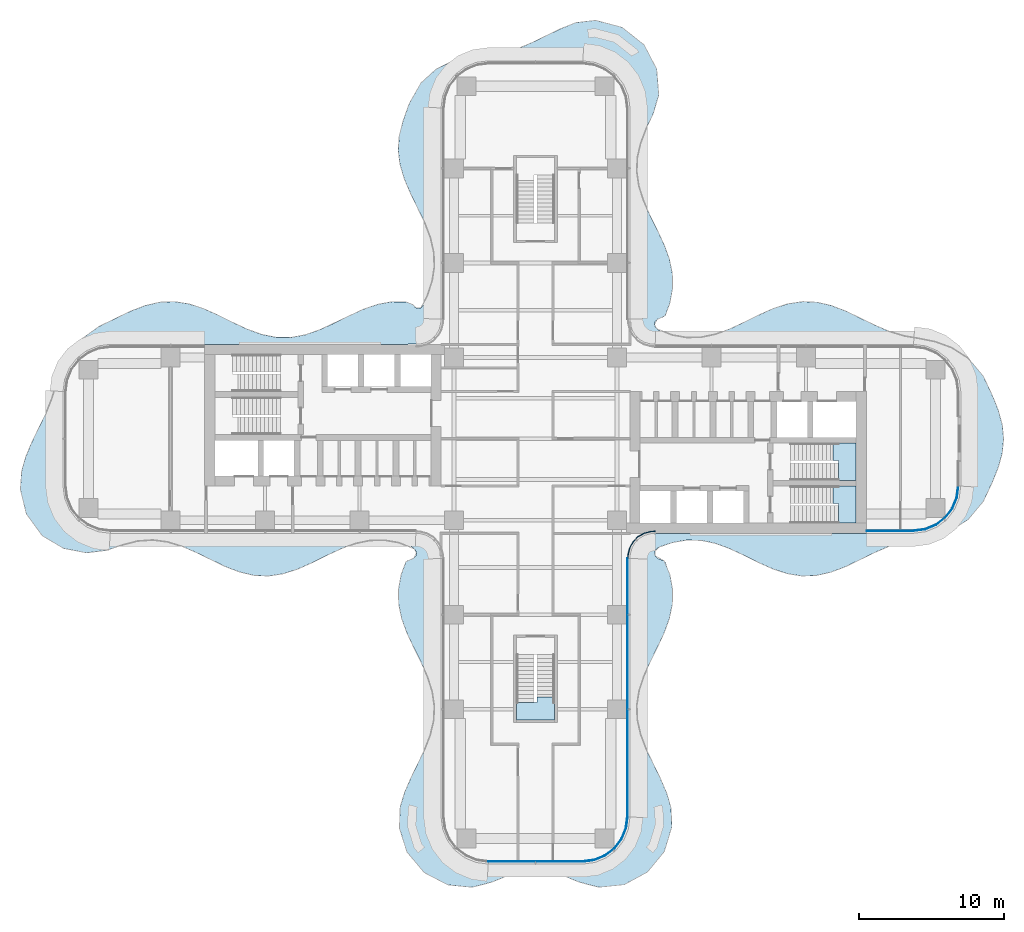
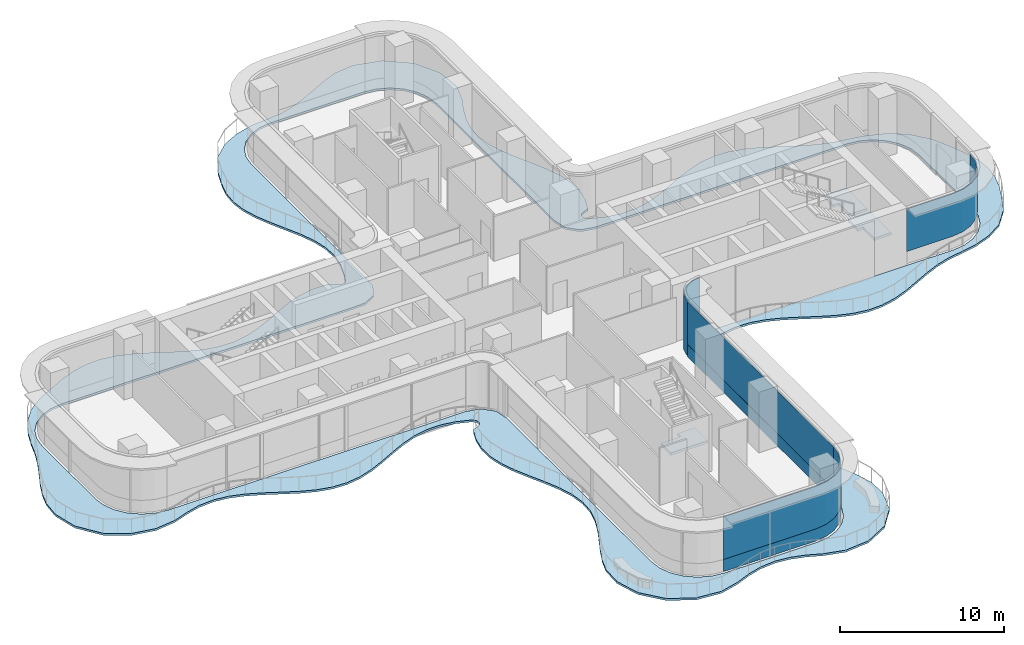
# One storey, part 14 of 21: 6 plates, 4 slabs, 7 elements without a shape of their own.
"""IFC4 building model written with IfcOpenShell, lengths in metres."""

import ifcopenshell
import ifcopenshell.guid

model = None  # the IFC model being written
_history = None  # IfcOwnerHistory: only IFC2X3 demands one
_inside = {}  # id of a spatial element -> (the spatial element, [elements in it])
_under = {}  # id of a project, library or spatial element -> (it, [spatial elements below it])
_declared = {}  # id of a project -> (the project, [libraries it declares])
_typed = {}  # id of a type object -> (the type object, [elements of that type])
_made_of = {}  # id of a material, layer set ... -> (it, [elements and type objects made of it])


def new_model(schema):
    """Start an empty IFC model of exactly this schema.

    Asked for "IFC4X3", IfcOpenShell would pick the latest addendum, in which some entities
    have other attributes; the version numbers below select the first issue.
    IFC2X3 requires an IfcOwnerHistory on every rooted entity: one is made here for all.
    """
    global model, _history
    if schema == "IFC4X3":
        model = ifcopenshell.file(schema_version=(4, 3, 0, 0))
    else:
        model = ifcopenshell.file(schema=schema)
    _inside.clear()
    _under.clear()
    _declared.clear()
    _typed.clear()
    _made_of.clear()
    _history = None
    if model.schema == "IFC2X3":
        org = make("IfcOrganization", Name="unknown")
        user = make(
            "IfcPersonAndOrganization",
            ThePerson=make("IfcPerson", FamilyName="unknown"),
            TheOrganization=org,
        )
        app = make(
            "IfcApplication",
            ApplicationDeveloper=org,
            Version="unknown",
            ApplicationFullName="unknown",
            ApplicationIdentifier="unknown",
        )
        _history = make(
            "IfcOwnerHistory",
            OwningUser=user,
            OwningApplication=app,
            ChangeAction="ADDED",
            CreationDate=0,
        )
    return model


def make(cls, **values):
    """One entity of the class cls with the attributes given. An attribute that is None is left unset."""
    return model.create_entity(
        cls, **{name: value for name, value in values.items() if value is not None}
    )


def rooted(cls, **values):
    """An entity with a GlobalId (a new one), such as an element, a storey or a relation."""
    return make(cls, GlobalId=ifcopenshell.guid.new(), OwnerHistory=_history, **values)


def si_unit(unit_type, name, prefix=None):
    """IfcSIUnit, for example si_unit("LENGTHUNIT", "METRE", prefix="MILLI")."""
    return make("IfcSIUnit", UnitType=unit_type, Prefix=prefix, Name=name)


def assignment(units):
    """IfcUnitAssignment: the units of a project."""
    return None if units is None else make("IfcUnitAssignment", Units=units)


def point(xyz):
    """IfcCartesianPoint."""
    return None if xyz is None else make("IfcCartesianPoint", Coordinates=xyz)


def direction(xyz):
    """IfcDirection."""
    return None if xyz is None else make("IfcDirection", DirectionRatios=xyz)


def frame(location, z_axis=None, x_axis=None):
    """IfcAxis2Placement3D, a coordinate frame: its origin and axes. An axis left out is left unset."""
    return make(
        "IfcAxis2Placement3D",
        Location=point(location),
        Axis=direction(z_axis),
        RefDirection=direction(x_axis),
    )


def origin():
    """The frame at (0, 0, 0) with its axes left unset."""
    return frame((0.0, 0.0, 0.0))


def place(relative_to, where):
    """IfcLocalPlacement: puts the frame where relative to a parent placement (None: the world)."""
    return make(
        "IfcLocalPlacement", PlacementRelTo=relative_to, RelativePlacement=where
    )


def context(
    kind, dimensions, precision=None, world=None, true_north=None, identifier=None
):
    """IfcGeometricRepresentationContext, for example the 3D "Model" context."""
    return make(
        "IfcGeometricRepresentationContext",
        ContextIdentifier=identifier,
        ContextType=kind,
        CoordinateSpaceDimension=dimensions,
        Precision=precision,
        WorldCoordinateSystem=world,
        TrueNorth=true_north,
    )


def subcontext(parent, identifier, kind, view, scale=None):
    """IfcGeometricRepresentationSubContext, for example "Body" below "Model"."""
    return make(
        "IfcGeometricRepresentationSubContext",
        ContextIdentifier=identifier,
        ContextType=kind,
        ParentContext=parent,
        TargetScale=scale,
        TargetView=view,
    )


def project(units=None, contexts=None):
    """IfcProject with its units and contexts."""
    return rooted(
        "IfcProject",
        Name="project",
        RepresentationContexts=contexts,
        UnitsInContext=assignment(units),
    )


def spatial(cls, under=None, at=None, **own):
    """A site, building, storey or space (cls), placed at a placement, below another one or the project."""
    s = rooted(cls, ObjectPlacement=at, **own)
    if under is not None:
        _under.setdefault(under.id(), (under, []))[1].append(s)
    return s


def polyline(points):
    """IfcPolyline through the points."""
    return make("IfcPolyline", Points=[point(p) for p in points])


def outline(outer, holes=None, kind="AREA"):
    """IfcArbitraryClosedProfileDef: a profile drawn as a closed curve; with holes, ...WithVoids."""
    if holes is None:
        return make("IfcArbitraryClosedProfileDef", ProfileType=kind, OuterCurve=outer)
    return make(
        "IfcArbitraryProfileDefWithVoids",
        ProfileType=kind,
        OuterCurve=outer,
        InnerCurves=holes,
    )


def extrude(swept, where, along, depth):
    """IfcExtrudedAreaSolid: the profile swept, set in the frame where, extruded along a direction by depth."""
    return make(
        "IfcExtrudedAreaSolid",
        SweptArea=swept,
        Position=where,
        ExtrudedDirection=direction(along),
        Depth=depth,
    )


def shape(context_of_items, identifier, shape_type, items):
    """IfcShapeRepresentation: the items that make up one representation, for example the "Body"."""
    return make(
        "IfcShapeRepresentation",
        ContextOfItems=context_of_items,
        RepresentationIdentifier=identifier,
        RepresentationType=shape_type,
        Items=items,
    )


def source(mapping_origin, context_of_items, identifier, shape_type, items):
    """IfcRepresentationMap: a shape defined once, which mapped items show again and again."""
    return make(
        "IfcRepresentationMap",
        MappingOrigin=mapping_origin,
        MappedRepresentation=shape(context_of_items, identifier, shape_type, items),
    )


def transform(
    local_origin,
    x_axis=None,
    y_axis=None,
    z_axis=None,
    scale=None,
    scale2=None,
    scale3=None,
    uniform=True,
):
    """IfcCartesianTransformationOperator3D, or its non-uniform kind. x_axis, y_axis, z_axis: its Axis1, 2, 3."""
    if uniform:
        return make(
            "IfcCartesianTransformationOperator3D",
            Axis1=direction(x_axis),
            Axis2=direction(y_axis),
            LocalOrigin=point(local_origin),
            Scale=scale,
            Axis3=direction(z_axis),
        )
    return make(
        "IfcCartesianTransformationOperator3DnonUniform",
        Axis1=direction(x_axis),
        Axis2=direction(y_axis),
        LocalOrigin=point(local_origin),
        Scale=scale,
        Axis3=direction(z_axis),
        Scale2=scale2,
        Scale3=scale3,
    )


def mapped(mapping_source, mapping_target):
    """IfcMappedItem: shows the shape of a source again, moved by a transform."""
    return make(
        "IfcMappedItem", MappingSource=mapping_source, MappingTarget=mapping_target
    )


def material(Name=None, Category=None):
    """IfcMaterial."""
    return make("IfcMaterial", Name=Name, Category=Category)


def layer(
    of_material, thickness, ventilated=None, Name=None, Category=None, Priority=None
):
    """IfcMaterialLayer: one layer of a wall or slab, of a material (None: an air gap)."""
    return make(
        "IfcMaterialLayer",
        Material=of_material,
        LayerThickness=thickness,
        IsVentilated=ventilated,
        Name=Name,
        Category=Category,
        Priority=Priority,
    )


def layer_set(layers, Name=None):
    """IfcMaterialLayerSet."""
    return make("IfcMaterialLayerSet", MaterialLayers=layers, LayerSetName=Name)


def made_of(thing, what):
    """Note that an element or type object is made of a material, layer set ...; save() writes the relation."""
    if what is not None:
        _made_of.setdefault(what.id(), (what, []))[1].append(thing)
    return thing


def type_object(cls, material=None, **own):
    """A type object (cls), such as IfcWallType, which elements share."""
    return made_of(rooted(cls, **own), material)


def element(
    cls,
    number,
    at=None,
    inside=None,
    cuts=None,
    type_object=None,
    material=None,
    context=None,
    identifier="Body",
    shape_type=None,
    held_by="IfcProductDefinitionShape",
    body=None,
    shapes=None,
    **own,
):
    """One element of the class cls, such as IfcWall. Its Tag is "e" and its number.

    at: its placement. inside: the storey or other place that contains it. cuts: it is an
    opening in that element (IfcRelVoidsElement). A single representation is given by context,
    identifier, shape_type and body (its items); several are given by shapes. held_by: the class
    of the entity that holds the representations. save() writes the other relations.
    """
    e = rooted(cls, Tag="e%d" % number, ObjectPlacement=at, **own)
    if body is not None:
        shapes = [shape(context, identifier, shape_type, body)]
    if shapes is not None:
        e.Representation = make(held_by, Representations=shapes)
    if inside is not None:
        _inside.setdefault(inside.id(), (inside, []))[1].append(e)
    if cuts is not None:
        rooted(
            "IfcRelVoidsElement", RelatingBuildingElement=cuts, RelatedOpeningElement=e
        )
    if type_object is not None:
        _typed.setdefault(type_object.id(), (type_object, []))[1].append(e)
    return made_of(e, material)


def aggregate(whole, parts):
    """IfcRelAggregates: a whole, such as a stair, and the parts it consists of."""
    return rooted("IfcRelAggregates", RelatingObject=whole, RelatedObjects=parts)


def save(model, path):
    """Write the relations noted so far, then the file.

    IfcRelAggregates (storeys below a building ...), IfcRelContainedInSpatialStructure (elements
    in a storey), IfcRelDefinesByType, IfcRelAssociatesMaterial and IfcRelDeclares: one each for
    every whole, place, type object, material and project.
    """
    for whole, parts in _under.values():
        aggregate(whole, parts)
    for where, things in _inside.values():
        rooted(
            "IfcRelContainedInSpatialStructure",
            RelatedElements=things,
            RelatingStructure=where,
        )
    for kind, things in _typed.values():
        rooted("IfcRelDefinesByType", RelatedObjects=things, RelatingType=kind)
    for what, things in _made_of.values():
        rooted("IfcRelAssociatesMaterial", RelatedObjects=things, RelatingMaterial=what)
    for by, libraries in _declared.values():
        rooted("IfcRelDeclares", RelatingContext=by, RelatedDefinitions=libraries)
    model.write(path)


model = new_model("IFC4")

# Units and contexts
model_context = context("Model", 3, precision=1e-05, world=origin(), true_north=direction((0.0, 1.0)))
body_context = subcontext(model_context, "Body", "Model", "MODEL_VIEW")
ifc_project = project(units=[si_unit("LENGTHUNIT", "METRE"), si_unit("AREAUNIT", "SQUARE_METRE"), si_unit("VOLUMEUNIT", "CUBIC_METRE"), si_unit("PLANEANGLEUNIT", "RADIAN"), si_unit("MASSUNIT", "GRAM", prefix="KILO")], contexts=[model_context])

# Site, building, storey
site_placement = place(None, origin())
site = spatial("IfcSite", under=ifc_project, at=site_placement, CompositionType="ELEMENT")
building_placement = place(site_placement, origin())
building = spatial("IfcBuilding", under=site, at=building_placement, Name="Trellis Farm Tower", CompositionType="ELEMENT")
storey_placement = place(building_placement, frame((0.0, 0.0, 115.5)))
storey = spatial("IfcBuildingStorey", under=building, at=storey_placement, Name="L24", CompositionType="ELEMENT", Elevation=115.5)

# Slab
ifc_material_1 = material(Name="Concrete C40/50", Category="concrete")
ifc_layer_1 = layer(ifc_material_1, 0.14990234375)
ifc_layer_set_1 = layer_set([ifc_layer_1], Name="Balcony slab 150")
slab_type_1 = type_object("IfcSlabType", Name="Balcony slab 150", PredefinedType="FLOOR", material=ifc_layer_set_1)
slab_1_placement = place(storey_placement, frame((0.0, 0.0, -0.14990234375)))
element("IfcSlab", 1, at=slab_1_placement, inside=storey, type_object=slab_type_1, Name="Balcony slab", PredefinedType="FLOOR", context=body_context, shape_type="SweptSolid", body=[
    extrude(outline(polyline([(-25.325439453125, -7.0859375), (-26.30517578125, -6.957275390625), (-26.320068359375, -6.956787109375), (-27.369873046875, -7.030029296875), (-27.38330078125, -7.0322265625), (-28.3564453125, -7.283203125), (-28.3623046875, -7.284912109375), (-29.44873046875, -7.6611328125), (-29.479248046875, -7.668212890625), (-30.866455078125, -7.84130859375), (-30.91357421875, -7.839599609375), (-32.445068359375, -7.542724609375), (-32.492919921875, -7.524658203125), (-33.877197265625, -6.705810546875), (-33.902099609375, -6.68701171875), (-33.930419921875, -6.6611328125), (-33.950439453125, -6.638671875), (-35.002197265625, -5.188232421875), (-35.01708984375, -5.1630859375), (-35.032958984375, -5.12890625), (-35.04248046875, -5.101318359375), (-35.431640625, -3.49267578125), (-35.435546875, -3.4462890625), (-35.347900390625, -2.24951171875), (-35.342529296875, -2.219482421875), (-35.069580078125, -1.25048828125), (-35.0634765625, -1.2333984375), (-34.65283203125, -0.251708984375), (-34.6494140625, -0.243896484375), (-33.68701171875, 1.73291015625), (-33.68505859375, 1.73779296875), (-33.285888671875, 2.728515625), (-33.28369140625, 2.734619140625), (-32.953125, 3.809326171875), (-32.9501953125, 3.81787109375), (-32.56005859375, 4.857177734375), (-32.551513671875, 4.875732421875), (-31.994384765625, 5.906005859375), (-31.9775390625, 5.9306640625), (-31.185546875, 6.882568359375), (-31.158447265625, 6.907958984375), (-30.041015625, 7.718994140625), (-30.018310546875, 7.732666015625), (-27.85009765625, 8.782958984375), (-27.83837890625, 8.7880859375), (-26.849365234375, 9.166748046875), (-26.829345703125, 9.1728515625), (-25.849609375, 9.39697265625), (-25.822021484375, 9.400634765625), (-24.8505859375, 9.438720703125), (-24.82177734375, 9.43701171875), (-23.852294921875, 9.285888671875), (-23.828857421875, 9.2802734375), (-22.853515625, 8.9619140625), (-22.839111328125, 8.956298828125), (-21.861328125, 8.5205078125), (-21.85595703125, 8.517822265625), (-20.853271484375, 8.020751953125), (-20.851806640625, 8.02001953125), (-19.845703125, 7.55078125), (-19.839599609375, 7.548095703125), (-18.837646484375, 7.185302734375), (-18.826904296875, 7.182373046875), (-17.832275390625, 6.9833984375), (-17.818115234375, 6.98193359375), (-16.8330078125, 6.974365234375), (-16.819091796875, 6.9755859375), (-15.840087890625, 7.15625), (-15.828857421875, 7.1591796875), (-14.848876953125, 7.500244140625), (-14.84228515625, 7.5029296875), (-13.857666015625, 7.953857421875), (-13.85546875, 7.954833984375), (-12.862060546875, 8.4482421875), (-12.857666015625, 8.450439453125), (-11.87744140625, 8.89892578125), (-11.864013671875, 8.904296875), (-10.861572265625, 9.250244140625), (-10.839111328125, 9.256103515625), (-9.895263671875, 9.42626953125), (-9.8671875, 9.428466796875), (-8.916748046875, 9.418212890625), (-8.885986328125, 9.414794921875), (-8.847900390625, 9.40625), (-8.819091796875, 9.396728515625), (-8.452392578125, 9.23291015625), (-8.400146484375, 9.194091796875), (-8.26318359375, 9.035400390625), (-8.22802734375, 9.012939453125), (-8.07958984375, 8.97021484375), (-8.0380859375, 8.970458984375), (-7.89013671875, 9.014892578125), (-7.85546875, 9.03759765625), (-7.748291015625, 9.16357421875), (-7.73681640625, 9.181396484375), (-7.44580078125, 9.833984375), (-7.44287109375, 9.841552734375), (-7.109130859375, 10.876220703125), (-7.106201171875, 10.8876953125), (-6.96435546875, 11.812255859375), (-6.963623046875, 11.826171875), (-6.9990234375, 12.812744140625), (-7.000732421875, 12.826416015625), (-7.2255859375, 13.822509765625), (-7.228759765625, 13.83251953125), (-7.610595703125, 14.8349609375), (-7.61328125, 14.8408203125), (-8.5830078125, 16.84228515625), (-8.585693359375, 16.84814453125), (-9.01123046875, 17.831298828125), (-9.01708984375, 17.847412109375), (-9.320068359375, 18.85009765625), (-9.3251953125, 18.874755859375), (-9.444091796875, 19.815185546875), (-9.44482421875, 19.84423828125), (-9.37939453125, 20.816650390625), (-9.375, 20.843505859375), (-9.1201171875, 21.845703125), (-9.115966796875, 21.859375), (-8.69580078125, 23.03515625), (-8.685302734375, 23.058349609375), (-7.905029296875, 24.44189453125), (-7.87548828125, 24.47900390625), (-6.845703125, 25.41748046875), (-6.81201171875, 25.44091796875), (-5.649169921875, 26.0234375), (-5.619873046875, 26.034423828125), (-4.43310546875, 26.34423828125), (-4.408935546875, 26.348388671875), (-2.2880859375, 26.544921875), (-2.275390625, 26.54736328125), (-1.27685546875, 26.82177734375), (-1.267822265625, 26.82470703125), (-0.2451171875, 27.250244140625), (-0.240966796875, 27.251953125), (1.735595703125, 28.214111328125), (1.74609375, 28.21875), (2.75, 28.61669921875), (2.787109375, 28.6259765625), (4.069091796875, 28.782470703125), (4.09716796875, 28.783203125), (4.1337890625, 28.78076171875), (4.16162109375, 28.7763671875), (5.879150390625, 28.3291015625), (5.907958984375, 28.318359375), (5.943359375, 28.30078125), (5.969482421875, 28.284423828125), (7.413818359375, 27.153076171875), (7.4365234375, 27.131103515625), (7.462646484375, 27.099853515625), (7.480224609375, 27.073486328125), (8.312255859375, 25.492431640625), (8.323486328125, 25.464599609375), (8.33447265625, 25.42724609375), (8.340087890625, 25.397705078125), (8.47998046875, 23.7080078125), (8.4794921875, 23.68017578125), (8.475830078125, 23.644287109375), (8.470458984375, 23.61669921875), (8.10009765625, 22.373779296875), (8.092041015625, 22.3525390625), (7.613037109375, 21.340576171875), (7.610595703125, 21.335205078125), (7.228515625, 20.33251953125), (7.2255859375, 20.32275390625), (7.009521484375, 19.390380859375), (7.0078125, 19.377197265625), (6.9599609375, 18.39453125), (6.960693359375, 18.3798828125), (7.1064453125, 17.387939453125), (7.109130859375, 17.3759765625), (7.4296875, 16.3759765625), (7.4326171875, 16.368408203125), (7.878662109375, 15.36328125), (7.8798828125, 15.360595703125), (8.3779296875, 14.35595703125), (8.37939453125, 14.352783203125), (8.845458984375, 13.355712890625), (8.850341796875, 13.34375), (9.203125, 12.380126953125), (9.208984375, 12.359130859375), (9.4111328125, 11.388916015625), (9.414306640625, 11.3603515625), (9.428466796875, 10.357421875), (9.426025390625, 10.328125), (9.248779296875, 9.35888671875), (9.241943359375, 9.333740234375), (8.9228515625, 8.47607421875), (8.834716796875, 8.387939453125), (8.428466796875, 8.235595703125), (8.4169921875, 8.22998046875), (8.365478515625, 8.199951171875), (8.349365234375, 8.1875), (8.2392578125, 8.07421875), (8.22021484375, 8.039306640625), (8.1875, 7.8955078125), (8.189453125, 7.855712890625), (8.239501953125, 7.705810546875), (8.248291015625, 7.6875), (8.307861328125, 7.599609375), (8.32421875, 7.58251953125), (8.478515625, 7.46337890625), (8.49951171875, 7.451904296875), (9.382080078125, 7.1455078125), (9.393798828125, 7.142333984375), (10.385986328125, 6.969970703125), (10.400390625, 6.968994140625), (11.384033203125, 6.989013671875), (11.39794921875, 6.990478515625), (12.376708984375, 7.196533203125), (12.386962890625, 7.199462890625), (13.339599609375, 7.548095703125), (13.345458984375, 7.550537109375), (14.351806640625, 8.02001953125), (14.353271484375, 8.020751953125), (15.35595703125, 8.517822265625), (15.361328125, 8.5205078125), (16.339111328125, 8.956298828125), (16.353515625, 8.9619140625), (17.32861328125, 9.2802734375), (17.3525390625, 9.285888671875), (18.35546875, 9.43896484375), (18.384765625, 9.4404296875), (19.354248046875, 9.396240234375), (19.38134765625, 9.392578125), (20.329345703125, 9.1728515625), (20.349365234375, 9.166748046875), (21.350830078125, 8.78271484375), (21.362548828125, 8.777587890625), (23.339599609375, 7.818359375), (23.3427734375, 7.81689453125), (24.36328125, 7.377197265625), (24.37158203125, 7.37451171875), (25.365478515625, 7.075927734375), (25.374755859375, 7.07373046875), (26.4033203125, 6.902587890625), (26.408203125, 6.90185546875), (27.47705078125, 6.6865234375), (27.49853515625, 6.680419921875), (28.606201171875, 6.279052734375), (28.6357421875, 6.2646484375), (29.752197265625, 5.55322265625), (29.78662109375, 5.523193359375), (30.77490234375, 4.34375), (30.79541015625, 4.311279296875), (31.39990234375, 3.027587890625), (31.40283203125, 3.0205078125), (31.814208984375, 2.015869140625), (31.819580078125, 1.999267578125), (32.099365234375, 0.996826171875), (32.104248046875, 0.970703125), (32.197021484375, -0.00244140625), (32.19677734375, -0.03173828125), (32.0986328125, -1.0009765625), (32.09375, -1.026611328125), (31.819580078125, -1.99951171875), (31.814208984375, -2.015625), (31.40283203125, -3.0205078125), (31.39990234375, -3.027587890625), (30.79541015625, -4.311279296875), (30.77490234375, -4.34375), (29.786376953125, -5.523193359375), (29.75244140625, -5.55322265625), (28.670166015625, -6.24755859375), (28.640869140625, -6.261962890625), (27.52392578125, -6.67333984375), (27.501953125, -6.679443359375), (26.408203125, -6.90185546875), (26.403076171875, -6.90283203125), (25.374755859375, -7.07373046875), (25.365478515625, -7.075927734375), (24.37158203125, -7.37451171875), (24.36328125, -7.377197265625), (23.3427734375, -7.81689453125), (23.339599609375, -7.818359375), (21.35009765625, -8.782958984375), (21.33837890625, -8.7880859375), (20.349365234375, -9.166748046875), (20.329345703125, -9.1728515625), (19.349609375, -9.39697265625), (19.322021484375, -9.400634765625), (18.3505859375, -9.438720703125), (18.32177734375, -9.43701171875), (17.352294921875, -9.285888671875), (17.328857421875, -9.2802734375), (16.353515625, -8.9619140625), (16.339111328125, -8.956298828125), (15.361328125, -8.5205078125), (15.35595703125, -8.517822265625), (14.353271484375, -8.020751953125), (14.351806640625, -8.02001953125), (13.345458984375, -7.550537109375), (13.339599609375, -7.548095703125), (12.386962890625, -7.199462890625), (12.376708984375, -7.196533203125), (11.39794921875, -6.990478515625), (11.384033203125, -6.989013671875), (10.400390625, -6.968994140625), (10.385986328125, -6.969970703125), (9.393798828125, -7.142333984375), (9.382080078125, -7.1455078125), (8.49951171875, -7.451904296875), (8.478515625, -7.46337890625), (8.32421875, -7.58251953125), (8.307861328125, -7.599609375), (8.248291015625, -7.6875), (8.239501953125, -7.705810546875), (8.189453125, -7.855712890625), (8.1875, -7.8955078125), (8.22021484375, -8.039306640625), (8.2392578125, -8.07421875), (8.349365234375, -8.1875), (8.365478515625, -8.199951171875), (8.4169921875, -8.22998046875), (8.428466796875, -8.235595703125), (8.834716796875, -8.387939453125), (8.9228515625, -8.47607421875), (9.241943359375, -9.333740234375), (9.248779296875, -9.35888671875), (9.426025390625, -10.328125), (9.428466796875, -10.357421875), (9.414306640625, -11.3603515625), (9.4111328125, -11.388916015625), (9.208984375, -12.359130859375), (9.203125, -12.380126953125), (8.850341796875, -13.34375), (8.845458984375, -13.355712890625), (8.37939453125, -14.352783203125), (8.3779296875, -14.35595703125), (7.8798828125, -15.360595703125), (7.878662109375, -15.36328125), (7.44580078125, -16.334228515625), (7.443115234375, -16.341552734375), (7.122314453125, -17.321044921875), (7.119384765625, -17.33251953125), (6.964599609375, -18.31201171875), (6.963623046875, -18.326416015625), (6.9990234375, -19.312744140625), (7.000732421875, -19.326416015625), (7.2255859375, -20.322509765625), (7.228759765625, -20.33251953125), (7.610595703125, -21.3349609375), (7.61328125, -21.3408203125), (8.5830078125, -23.34228515625), (8.585693359375, -23.34814453125), (9.017822265625, -24.349609375), (9.02392578125, -24.366455078125), (9.3173828125, -25.351806640625), (9.323486328125, -25.388671875), (9.375244140625, -26.673095703125), (9.368896484375, -26.722900390625), (8.87158203125, -28.354736328125), (8.860107421875, -28.382568359375), (8.84228515625, -28.415283203125), (8.82568359375, -28.439697265625), (7.709228515625, -29.785888671875), (7.688720703125, -29.806396484375), (7.6591796875, -29.830322265625), (7.635009765625, -29.846435546875), (6.1083984375, -30.658935546875), (6.081298828125, -30.670166015625), (6.044921875, -30.68115234375), (6.01611328125, -30.68701171875), (4.408447265625, -30.84326171875), (4.382080078125, -30.843505859375), (4.347900390625, -30.8408203125), (4.322021484375, -30.83642578125), (3.0322265625, -30.501953125), (3.0126953125, -30.49560546875), (2.021484375, -30.08837890625), (2.013427734375, -30.08544921875), (1.034912109375, -29.80859375), (1.0224609375, -29.80615234375), (0.0419921875, -29.7041015625), (0.02685546875, -29.7041015625), (-1.022216796875, -29.80615234375), (-1.03515625, -29.80859375), (-2.013427734375, -30.08544921875), (-2.021484375, -30.08837890625), (-3.0126953125, -30.49560546875), (-3.0322265625, -30.501953125), (-4.322021484375, -30.83642578125), (-4.347900390625, -30.8408203125), (-4.382080078125, -30.843505859375), (-4.408447265625, -30.84326171875), (-6.01611328125, -30.68701171875), (-6.044921875, -30.68115234375), (-6.081298828125, -30.670166015625), (-6.1083984375, -30.658935546875), (-7.635009765625, -29.846435546875), (-7.6591796875, -29.830322265625), (-7.688720703125, -29.806396484375), (-7.709228515625, -29.785888671875), (-8.82568359375, -28.439697265625), (-8.84228515625, -28.415283203125), (-8.8603515625, -28.382080078125), (-8.87158203125, -28.35498046875), (-9.361083984375, -26.78173828125), (-9.36767578125, -26.731689453125), (-9.31591796875, -25.345703125), (-9.3095703125, -25.3076171875), (-9.01708984375, -24.347412109375), (-9.01123046875, -24.331298828125), (-8.585693359375, -23.34814453125), (-8.5830078125, -23.34228515625), (-7.623779296875, -21.36572265625), (-7.621337890625, -21.360107421875), (-7.242919921875, -20.37890625), (-7.239990234375, -20.369140625), (-7.009521484375, -19.390625), (-7.007568359375, -19.377197265625), (-6.9599609375, -18.39453125), (-6.960693359375, -18.3798828125), (-7.1064453125, -17.387939453125), (-7.109130859375, -17.3759765625), (-7.4296875, -16.3759765625), (-7.4326171875, -16.368408203125), (-7.878662109375, -15.36328125), (-7.8798828125, -15.360595703125), (-8.3779296875, -14.35595703125), (-8.37939453125, -14.352783203125), (-8.845458984375, -13.355712890625), (-8.850341796875, -13.34375), (-9.203125, -12.380126953125), (-9.208984375, -12.359130859375), (-9.4111328125, -11.388916015625), (-9.414306640625, -11.3603515625), (-9.428466796875, -10.357421875), (-9.426025390625, -10.328125), (-9.248779296875, -9.35888671875), (-9.241943359375, -9.333740234375), (-8.9228515625, -8.47607421875), (-8.834716796875, -8.387939453125), (-8.428466796875, -8.235595703125), (-8.4169921875, -8.22998046875), (-8.365478515625, -8.199951171875), (-8.349365234375, -8.1875), (-8.2392578125, -8.07421875), (-8.22021484375, -8.039306640625), (-8.1875, -7.8955078125), (-8.189453125, -7.855712890625), (-8.239501953125, -7.705810546875), (-8.248291015625, -7.6875), (-8.307861328125, -7.599609375), (-8.32421875, -7.58251953125), (-8.478515625, -7.46337890625), (-8.49951171875, -7.451904296875), (-9.382080078125, -7.1455078125), (-9.393798828125, -7.142333984375), (-10.385986328125, -6.969970703125), (-10.400390625, -6.968994140625), (-11.384033203125, -6.989013671875), (-11.39794921875, -6.990478515625), (-12.376708984375, -7.196533203125), (-12.386962890625, -7.199462890625), (-13.339599609375, -7.548095703125), (-13.345458984375, -7.550537109375), (-14.351806640625, -8.02001953125), (-14.353271484375, -8.020751953125), (-15.355712890625, -8.517822265625), (-15.361572265625, -8.5205078125), (-16.35595703125, -8.962890625), (-16.370849609375, -8.968505859375), (-17.356201171875, -9.286865234375), (-17.3798828125, -9.29248046875), (-18.355712890625, -9.43896484375), (-18.384765625, -9.4404296875), (-19.354248046875, -9.396240234375), (-19.381591796875, -9.392578125), (-20.352783203125, -9.165771484375), (-20.37255859375, -9.15966796875), (-21.350830078125, -8.78271484375), (-21.362548828125, -8.777587890625), (-23.33984375, -7.818359375), (-23.3427734375, -7.81689453125), (-24.326171875, -7.39111328125), (-24.333984375, -7.38818359375), (-25.313232421875, -7.088623046875), (-25.325439453125, -7.0859375)]), holes=[polyline([(-6.568359375, 7.810302734375), (-6.963623046875, 7.059814453125), (-6.990478515625, 7.023193359375), (-7.030517578125, 6.9833984375), (-7.067138671875, 6.956787109375), (-7.8203125, 6.5654296875), (-7.85107421875, 6.553466796875), (-7.891845703125, 6.542724609375), (-7.92431640625, 6.537841796875), (-8.85400390625, 6.50048828125), (-29.25, 6.50048828125), (-30.09130859375, 6.389892578125), (-30.875244140625, 6.065185546875), (-31.548583984375, 5.548583984375), (-32.065185546875, 4.875244140625), (-32.389892578125, 4.09130859375), (-32.50048828125, 3.25), (-32.50048828125, -3.25), (-32.389892578125, -4.09130859375), (-32.065185546875, -4.875244140625), (-31.548583984375, -5.548583984375), (-30.875244140625, -6.065185546875), (-30.09130859375, -6.389892578125), (-29.25, -6.50048828125), (-8.38818359375, -6.50048828125), (-8.364013671875, -6.503173828125), (-7.466552734375, -6.687255859375), (-7.42529296875, -6.702392578125), (-7.3779296875, -6.727783203125), (-7.34326171875, -6.75390625), (-6.75390625, -7.34326171875), (-6.727783203125, -7.3779296875), (-6.702392578125, -7.42529296875), (-6.687255859375, -7.466552734375), (-6.503173828125, -8.364013671875), (-6.50048828125, -8.38818359375), (-6.50048828125, -26.0), (-6.389892578125, -26.84130859375), (-6.065185546875, -27.625244140625), (-5.548583984375, -28.298583984375), (-4.875244140625, -28.815185546875), (-4.09130859375, -29.139892578125), (-3.25, -29.25048828125), (3.25, -29.25048828125), (4.09130859375, -29.139892578125), (4.875244140625, -28.815185546875), (5.548583984375, -28.298583984375), (6.065185546875, -27.625244140625), (6.389892578125, -26.84130859375), (6.50048828125, -26.0), (6.50048828125, -8.38818359375), (6.503173828125, -8.364013671875), (6.687255859375, -7.466552734375), (6.702392578125, -7.42529296875), (6.727783203125, -7.3779296875), (6.75390625, -7.34326171875), (7.34326171875, -6.75390625), (7.3779296875, -6.727783203125), (7.42529296875, -6.702392578125), (7.466552734375, -6.687255859375), (8.364013671875, -6.503173828125), (8.38818359375, -6.50048828125), (26.0, -6.50048828125), (26.84130859375, -6.389892578125), (27.625244140625, -6.065185546875), (28.298583984375, -5.548583984375), (28.815185546875, -4.875244140625), (29.139892578125, -4.09130859375), (29.25048828125, -3.25), (29.25048828125, 3.25), (29.139892578125, 4.09130859375), (28.815185546875, 4.875244140625), (28.298583984375, 5.548583984375), (27.625244140625, 6.065185546875), (26.84130859375, 6.389892578125), (26.0, 6.50048828125), (8.38818359375, 6.50048828125), (8.364013671875, 6.503173828125), (7.466552734375, 6.687255859375), (7.42529296875, 6.702392578125), (7.3779296875, 6.727783203125), (7.34326171875, 6.75390625), (6.75390625, 7.34326171875), (6.727783203125, 7.3779296875), (6.702392578125, 7.42529296875), (6.687255859375, 7.466552734375), (6.503173828125, 8.364013671875), (6.50048828125, 8.38818359375), (6.50048828125, 22.75), (6.389892578125, 23.59130859375), (6.065185546875, 24.375244140625), (5.548583984375, 25.048583984375), (4.875244140625, 25.565185546875), (4.09130859375, 25.889892578125), (3.25, 26.00048828125), (-3.25, 26.00048828125), (-4.09130859375, 25.889892578125), (-4.875244140625, 25.565185546875), (-5.548583984375, 25.048583984375), (-6.065185546875, 24.375244140625), (-6.389892578125, 23.59130859375), (-6.50048828125, 22.75), (-6.50048828125, 8.844970703125), (-6.540283203125, 7.914794921875), (-6.54541015625, 7.882080078125), (-6.556396484375, 7.84130859375), (-6.568359375, 7.810302734375)])]), origin(), (0.0, 0.0, 1.0), 0.14990234375),
])

# Stair, slab
ifc_material_2 = material(Name="Concrete C50/60", Category="concrete")
stair_type = type_object("IfcStairType", Name="CORE EXIT STAIR 26 RISERS 173 MM", PredefinedType="HALF_TURN_STAIR", material=ifc_material_2)
placement_1 = place(storey_placement, origin())
stair_1 = element("IfcStair", 2, at=placement_1, inside=storey, type_object=stair_type, Name="Exit stair S", PredefinedType="HALF_TURN_STAIR")
ifc_layer_2 = layer(ifc_material_2, 0.18994140625)
ifc_layer_set_2 = layer_set([ifc_layer_2], Name="CORE STAIR LANDING 190 CONCRETE C50/60")
slab_type_2 = type_object("IfcSlabType", Name="CORE STAIR LANDING 190 CONCRETE C50/60", PredefinedType="LANDING", material=ifc_layer_set_2)
shared_shape_1 = source(origin(), body_context, "Body", "SweptSolid", [
    extrude(outline(polyline([(1.300048828125, -19.35009765625), (-1.300048828125, -19.35009765625), (-1.300048828125, -18.14990234375), (-1.300048828125, -18.139892578125), (-0.10009765625, -18.139892578125), (-0.10009765625, -18.14990234375), (0.10009765625, -18.14990234375), (0.10009765625, -17.753173828125), (1.300048828125, -17.753173828125), (1.300048828125, -18.14990234375), (1.300048828125, -19.35009765625)])), origin(), (0.0, 0.0, 1.0), 0.18994140625),
])
placement_2 = place(storey_placement, frame((0.0, 0.0, 2.06005859375)))
slab_2 = element("IfcSlab", 3, at=placement_2, type_object=slab_type_2, Name="STS landing 1", PredefinedType="LANDING", context=body_context, shape_type="MappedRepresentation", body=[
    mapped(shared_shape_1, transform((0.0, 0.0, 0.0))),
])
aggregate(stair_1, [slab_2])

stair_2 = element("IfcStair", 4, at=placement_1, inside=storey, type_object=stair_type, Name="Exit stair E1", PredefinedType="HALF_TURN_STAIR")
shared_shape_2 = source(origin(), body_context, "Body", "SweptSolid", [
    extrude(outline(polyline([(20.840087890625, -5.800048828125), (20.840087890625, -4.60009765625), (20.85009765625, -4.60009765625), (20.85009765625, -4.449951171875), (20.453125, -4.449951171875), (20.453125, -3.25), (20.85009765625, -3.25), (22.050048828125, -3.25), (22.050048828125, -5.800048828125), (20.85009765625, -5.800048828125), (20.840087890625, -5.800048828125)])), origin(), (0.0, 0.0, 1.0), 0.18994140625),
])
slab_3 = element("IfcSlab", 5, at=placement_2, type_object=slab_type_2, Name="STE1 landing 1", PredefinedType="LANDING", context=body_context, shape_type="MappedRepresentation", body=[
    mapped(shared_shape_2, transform((0.0, 0.0, 0.0))),
])
aggregate(stair_2, [slab_3])

stair_3 = element("IfcStair", 6, at=placement_1, inside=storey, type_object=stair_type, Name="Exit stair E2", PredefinedType="HALF_TURN_STAIR")
shared_shape_3 = source(origin(), body_context, "Body", "SweptSolid", [
    extrude(outline(polyline([(20.840087890625, -2.85009765625), (20.840087890625, -1.64990234375), (20.85009765625, -1.64990234375), (20.85009765625, -1.5), (20.453125, -1.5), (20.453125, -0.300048828125), (20.85009765625, -0.300048828125), (22.050048828125, -0.300048828125), (22.050048828125, -2.85009765625), (20.85009765625, -2.85009765625), (20.840087890625, -2.85009765625)])), origin(), (0.0, 0.0, 1.0), 0.18994140625),
])
slab_4 = element("IfcSlab", 7, at=placement_2, type_object=slab_type_2, Name="STE2 landing 1", PredefinedType="LANDING", context=body_context, shape_type="MappedRepresentation", body=[
    mapped(shared_shape_3, transform((0.0, 0.0, 0.0))),
])
aggregate(stair_3, [slab_4])

# Curtain wall, plates
ifc_material_3 = material(Name="Aluminium and glass curtain wall", Category="aluminium")
ifc_layer_3 = layer(ifc_material_3, 0.18994140625)
ifc_layer_set_3 = layer_set([ifc_layer_3], Name="RIBBON CURTAIN WALL CW1")
curtain_wall_type_1 = type_object("IfcCurtainWallType", Name="RIBBON CURTAIN WALL CW1", PredefinedType="NOTDEFINED", material=ifc_layer_set_3)
curtain_wall_1 = element("IfcCurtainWall", 8, at=placement_1, inside=storey, type_object=curtain_wall_type_1, Name="CW1 003", PredefinedType="NOTDEFINED")
ifc_material_4 = material(Name="Clear insulated glass", Category="glass")
ifc_layer_4 = layer(ifc_material_4, 0.0400390625)
ifc_layer_set_4 = layer_set([ifc_layer_4], Name="CW1 GLASS PANEL 40")
plate_type_1 = type_object("IfcPlateType", Name="CW1 GLASS PANEL 40", PredefinedType="CURTAIN_PANEL", material=ifc_layer_set_4)
shared_shape_4 = source(origin(), body_context, "Body", "SweptSolid", [
    extrude(outline(polyline([(-3.240234375, -29.10009765625), (3.240234375, -29.10009765625), (4.052001953125, -28.9931640625), (4.79931640625, -28.68359375), (5.441162109375, -28.191162109375), (5.93359375, -27.54931640625), (6.2431640625, -26.802001953125), (6.35009765625, -25.990234375), (6.31005859375, -25.987548828125), (6.2041015625, -26.79150390625), (5.898681640625, -27.529296875), (5.41259765625, -28.16259765625), (4.779296875, -28.648681640625), (4.04150390625, -28.9541015625), (3.237548828125, -29.06005859375), (-3.237548828125, -29.06005859375), (-3.240234375, -29.10009765625)])), origin(), (0.0, 0.0, 1.0), 3.170166015625),
])
placement_3 = place(storey_placement, frame((0.0, 0.0, 0.89990234375)))
plate_1 = element("IfcPlate", 9, at=placement_3, type_object=plate_type_1, Name="PL1 003", PredefinedType="CURTAIN_PANEL", context=body_context, shape_type="MappedRepresentation", body=[
    mapped(shared_shape_4, transform((0.0, 0.0, 0.0))),
])
ifc_material_5 = material(Name="Sandstone faced insulated panel", Category="masonry")
ifc_layer_5 = layer(ifc_material_5, 0.050048828125)
ifc_layer_set_5 = layer_set([ifc_layer_5], Name="CW1 STONE SPANDREL PANEL 50")
plate_type_2 = type_object("IfcPlateType", Name="CW1 STONE SPANDREL PANEL 50", PredefinedType="CURTAIN_PANEL", material=ifc_layer_set_5)
shared_shape_5 = source(origin(), body_context, "Body", "SweptSolid", [
    extrude(outline(polyline([(-3.240234375, -29.10009765625), (3.240234375, -29.10009765625), (4.052001953125, -28.9931640625), (4.79931640625, -28.68359375), (5.441162109375, -28.191162109375), (5.93359375, -27.54931640625), (6.2431640625, -26.802001953125), (6.35009765625, -25.990234375), (6.300048828125, -25.98681640625), (6.1943359375, -26.7890625), (5.889892578125, -27.524169921875), (5.405517578125, -28.155517578125), (4.774169921875, -28.639892578125), (4.0390625, -28.9443359375), (3.23681640625, -29.050048828125), (-3.23681640625, -29.050048828125), (-3.240234375, -29.10009765625)])), origin(), (0.0, 0.0, 1.0), 0.89990234375),
])
plate_2 = element("IfcPlate", 10, at=placement_1, type_object=plate_type_2, Name="PS1 003", PredefinedType="CURTAIN_PANEL", context=body_context, shape_type="MappedRepresentation", body=[
    mapped(shared_shape_5, transform((0.0, 0.0, 0.0))),
])
aggregate(curtain_wall_1, [plate_1, plate_2])

curtain_wall_2 = element("IfcCurtainWall", 11, at=placement_1, inside=storey, type_object=curtain_wall_type_1, Name="CW1 004", PredefinedType="NOTDEFINED")
shared_shape_6 = source(origin(), body_context, "Body", "SweptSolid", [
    extrude(outline(polyline([(6.35009765625, -25.990234375), (6.35009765625, -8.2265625), (6.31005859375, -8.22509765625), (6.31005859375, -25.987548828125), (6.35009765625, -25.990234375)])), origin(), (0.0, 0.0, 1.0), 3.170166015625),
])
plate_3 = element("IfcPlate", 12, at=placement_3, type_object=plate_type_1, Name="PL1 004", PredefinedType="CURTAIN_PANEL", context=body_context, shape_type="MappedRepresentation", body=[
    mapped(shared_shape_6, transform((0.0, 0.0, 0.0))),
])
shared_shape_7 = source(origin(), body_context, "Body", "SweptSolid", [
    extrude(outline(polyline([(6.35009765625, -25.990234375), (6.35009765625, -8.2265625), (6.300048828125, -8.224853515625), (6.300048828125, -25.98681640625), (6.35009765625, -25.990234375)])), origin(), (0.0, 0.0, 1.0), 0.89990234375),
])
plate_4 = element("IfcPlate", 13, at=placement_1, type_object=plate_type_2, Name="PS1 004", PredefinedType="CURTAIN_PANEL", context=body_context, shape_type="MappedRepresentation", body=[
    mapped(shared_shape_7, transform((0.0, 0.0, 0.0))),
])
aggregate(curtain_wall_2, [plate_3, plate_4])

# Curtain wall, plate
ifc_layer_6 = layer(ifc_material_3, 0.166015625)
ifc_layer_set_6 = layer_set([ifc_layer_6], Name="WINTER GARDEN CURTAIN WALL CW3")
curtain_wall_type_2 = type_object("IfcCurtainWallType", Name="WINTER GARDEN CURTAIN WALL CW3", PredefinedType="NOTDEFINED", material=ifc_layer_set_6)
curtain_wall_3 = element("IfcCurtainWall", 14, at=placement_1, inside=storey, type_object=curtain_wall_type_2, Name="CW3 002", PredefinedType="NOTDEFINED")
ifc_layer_7 = layer(ifc_material_4, 0.0458984375)
ifc_layer_set_7 = layer_set([ifc_layer_7], Name="CW3 GLASS PANEL 46")
plate_type_3 = type_object("IfcPlateType", Name="CW3 GLASS PANEL 46", PredefinedType="CURTAIN_PANEL", material=ifc_layer_set_7)
shared_shape_8 = source(origin(), body_context, "Body", "SweptSolid", [
    extrude(outline(polyline([(6.3798828125, -8.2275390625), (6.394287109375, -8.0078125), (6.40966796875, -7.89208984375), (6.52490234375, -7.462158203125), (6.7509765625, -7.070556640625), (7.070556640625, -6.7509765625), (7.462158203125, -6.52490234375), (7.89208984375, -6.40966796875), (8.0078125, -6.394287109375), (8.2275390625, -6.3798828125), (8.22607421875, -6.333984375), (8.003173828125, -6.3486328125), (7.883056640625, -6.364501953125), (7.4443359375, -6.48193359375), (7.04248046875, -6.714111328125), (6.714111328125, -7.04248046875), (6.48193359375, -7.4443359375), (6.364501953125, -7.883056640625), (6.3486328125, -8.003173828125), (6.333984375, -8.22607421875), (6.3798828125, -8.2275390625)])), origin(), (0.0, 0.0, 1.0), 4.10009765625),
])
plate_5 = element("IfcPlate", 15, at=placement_1, type_object=plate_type_3, Name="PL3 002", PredefinedType="CURTAIN_PANEL", context=body_context, shape_type="MappedRepresentation", body=[
    mapped(shared_shape_8, transform((0.0, 0.0, 0.0))),
])
aggregate(curtain_wall_3, [plate_5])

curtain_wall_4 = element("IfcCurtainWall", 16, at=placement_1, inside=storey, type_object=curtain_wall_type_1, Name="CW1 005", PredefinedType="NOTDEFINED")
shared_shape_9 = source(origin(), body_context, "Body", "SweptSolid", [
    extrude(outline(polyline([(22.780029296875, -6.35009765625), (25.990234375, -6.35009765625), (26.802001953125, -6.2431640625), (27.54931640625, -5.93359375), (28.191162109375, -5.441162109375), (28.68359375, -4.79931640625), (28.9931640625, -4.052001953125), (29.10009765625, -3.240234375), (29.06005859375, -3.237548828125), (28.9541015625, -4.04150390625), (28.648681640625, -4.779296875), (28.16259765625, -5.41259765625), (27.529296875, -5.898681640625), (26.79150390625, -6.2041015625), (25.987548828125, -6.31005859375), (22.780029296875, -6.31005859375), (22.780029296875, -6.35009765625)])), origin(), (0.0, 0.0, 1.0), 3.170166015625),
])
plate_6 = element("IfcPlate", 17, at=placement_3, type_object=plate_type_1, Name="PL1 005", PredefinedType="CURTAIN_PANEL", context=body_context, shape_type="MappedRepresentation", body=[
    mapped(shared_shape_9, transform((0.0, 0.0, 0.0))),
])
aggregate(curtain_wall_4, [plate_6])

save(model, "model.ifc")
